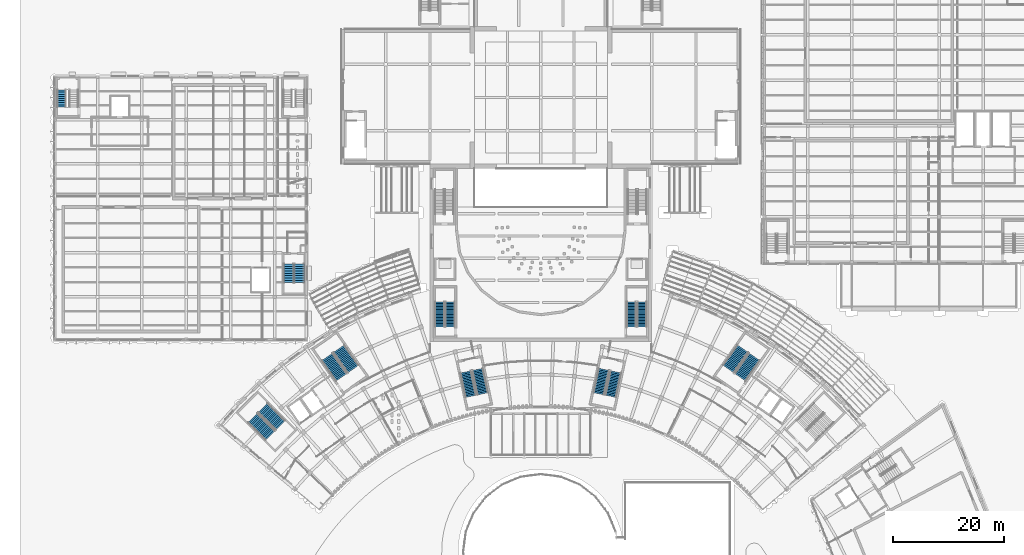
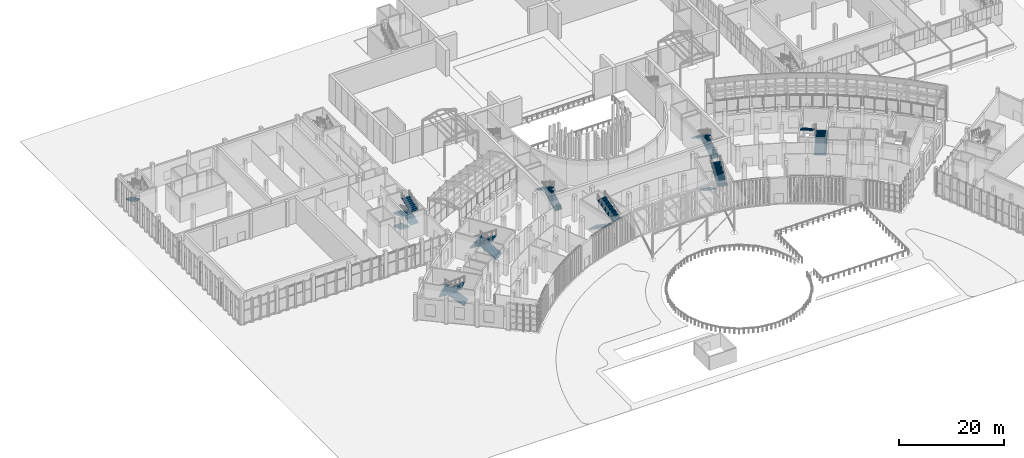
# One storey, part 105 of 155: 19 stair flights, 9 elements without a shape of their own.
"""IFC4 building model written with IfcOpenShell, lengths in metres."""

from ifc_helpers import new_model, si_unit, direction, frame, origin, place, context, subcontext, project, spatial, polyline, outline, extrude, material, type_object, element, aggregate, save


model = new_model("IFC4")

# Units and contexts
model_context = context("Model", 3, precision=1e-05, world=origin(), true_north=direction((0.0, 1.0)))
body_context = subcontext(model_context, "Body", "Model", "MODEL_VIEW")
ifc_project = project(units=[si_unit("LENGTHUNIT", "METRE"), si_unit("AREAUNIT", "SQUARE_METRE"), si_unit("VOLUMEUNIT", "CUBIC_METRE"), si_unit("PLANEANGLEUNIT", "RADIAN"), si_unit("MASSUNIT", "GRAM", prefix="KILO")], contexts=[model_context])

# Site, building, storey
site_placement = place(None, origin())
site = spatial("IfcSite", under=ifc_project, at=site_placement, CompositionType="ELEMENT")
building_placement = place(site_placement, origin())
building = spatial("IfcBuilding", under=site, at=building_placement, Name="Lunette Opera House", CompositionType="ELEMENT")
storey_placement = place(building_placement, origin())
storey = spatial("IfcBuildingStorey", under=building, at=storey_placement, Name="L00", CompositionType="ELEMENT", Elevation=0.0)

# Stair, stair flight
ifc_material_1 = material(Name="Concrete C35/45", Category="concrete")
stair_type_1 = type_object("IfcStairType", Name="DOGLEG STAIR 1600", PredefinedType="HALF_TURN_STAIR", material=ifc_material_1)
stair_1_placement = place(storey_placement, origin())
stair_1 = element("IfcStair", 1, at=stair_1_placement, inside=storey, type_object=stair_type_1, Name="L00 stair ST15", PredefinedType="HALF_TURN_STAIR")
ifc_material_2 = material(Name="Concrete C35/45", Category="concrete")
stair_flight_type_1 = type_object("IfcStairFlightType", Name="STRAIGHT STAIR FLIGHT 1600", PredefinedType="STRAIGHT", material=ifc_material_2)
stair_flight_1_placement = place(storey_placement, frame((9.5, 109.340087890625, 1.5), z_axis=(0.0, 0.0, 1.0), x_axis=(0.0, -1.0, 0.0)))
stair_flight_1 = element("IfcStairFlight", 2, at=stair_flight_1_placement, type_object=stair_flight_type_1, Name="ST15 flight 2", NumberOfRisers=9, NumberOfTreads=8, PredefinedType="STRAIGHT", RiserHeight=0.166666667, TreadLength=0.38, context=body_context, shape_type="SweptSolid", body=[
    extrude(outline(polyline([(0.0, 0.0), (0.0, 0.166748046875), (0.3798828125, 0.166748046875), (0.3798828125, 0.333251953125), (0.760009765625, 0.333251953125), (0.760009765625, 0.5), (1.139892578125, 0.5), (1.139892578125, 0.666748046875), (1.52001953125, 0.666748046875), (1.52001953125, 0.833251953125), (1.89990234375, 0.833251953125), (1.89990234375, 1.0), (2.280029296875, 1.0), (2.280029296875, 1.166748046875), (2.659912109375, 1.166748046875), (2.659912109375, 1.333251953125), (3.0400390625, 1.333251953125), (3.0400390625, 1.5), (3.0400390625, 1.169677734375), (0.373291015625, 0.0), (0.0, 0.0)])), frame((0.0, 0.800048828125, 0.0), z_axis=(0.0, -1.0, 0.0), x_axis=(1.0, 0.0, 0.0)), (0.0, 0.0, 1.0), 1.60009765625),
])
aggregate(stair_1, [stair_flight_1])

# Stair, stair flights
ifc_material_3 = material(Name="Concrete C35/45", Category="concrete")
stair_type_2 = type_object("IfcStairType", Name="DOGLEG STAIR 1720", PredefinedType="HALF_TURN_STAIR", material=ifc_material_3)
stair_2_placement = place(storey_placement, origin())
stair_2 = element("IfcStair", 3, at=stair_2_placement, inside=storey, type_object=stair_type_2, Name="L00 stair ST7", PredefinedType="HALF_TURN_STAIR")
ifc_material_4 = material(Name="Concrete C35/45", Category="concrete")
stair_flight_type_2 = type_object("IfcStairFlightType", Name="STRAIGHT STAIR FLIGHT 1720", PredefinedType="STRAIGHT", material=ifc_material_4)
stair_flight_2_placement = place(storey_placement, frame((79.639892578125, 66.6201171875, 0.0), z_axis=(0.0, 0.0, 1.0), x_axis=(0.0, 1.0, 0.0)))
stair_flight_2 = element("IfcStairFlight", 4, at=stair_flight_2_placement, type_object=stair_flight_type_2, Name="ST7 flight 1", NumberOfRisers=17, NumberOfTreads=16, PredefinedType="STRAIGHT", RiserHeight=0.176470588, TreadLength=0.28, context=body_context, shape_type="SweptSolid", body=[
    extrude(outline(polyline([(0.0, 0.0), (0.0, 0.176513671875), (0.280029296875, 0.176513671875), (0.280029296875, 0.35302734375), (0.56005859375, 0.35302734375), (0.56005859375, 0.529296875), (0.840087890625, 0.529296875), (0.840087890625, 0.705810546875), (1.1201171875, 0.705810546875), (1.1201171875, 0.88232421875), (1.39990234375, 0.88232421875), (1.39990234375, 1.058837890625), (1.679931640625, 1.058837890625), (1.679931640625, 1.2353515625), (1.9599609375, 1.2353515625), (1.9599609375, 1.411865234375), (2.239990234375, 1.411865234375), (2.239990234375, 1.588134765625), (2.52001953125, 1.588134765625), (2.52001953125, 1.7646484375), (2.800048828125, 1.7646484375), (2.800048828125, 1.941162109375), (3.080078125, 1.941162109375), (3.080078125, 2.11767578125), (3.360107421875, 2.11767578125), (3.360107421875, 2.294189453125), (3.639892578125, 2.294189453125), (3.639892578125, 2.470703125), (3.919921875, 2.470703125), (3.919921875, 2.64697265625), (4.199951171875, 2.64697265625), (4.199951171875, 2.823486328125), (4.47998046875, 2.823486328125), (4.47998046875, 3.0), (4.47998046875, 2.646240234375), (0.28125, 0.0), (0.0, 0.0)])), frame((0.0, 0.85986328125, 0.0), z_axis=(0.0, -1.0, 0.0), x_axis=(1.0, 0.0, 0.0)), (0.0, 0.0, 1.0), 1.719970703125),
])
stair_flight_3_placement = place(storey_placement, frame((77.760009765625, 71.10009765625, 3.0), z_axis=(0.0, 0.0, 1.0), x_axis=(0.0, -1.0, 0.0)))
stair_flight_3 = element("IfcStairFlight", 5, at=stair_flight_3_placement, type_object=stair_flight_type_2, Name="ST7 flight 2", NumberOfRisers=17, NumberOfTreads=16, PredefinedType="STRAIGHT", RiserHeight=0.176470588, TreadLength=0.28, context=body_context, shape_type="SweptSolid", body=[
    extrude(outline(polyline([(0.0, 0.0), (0.0, 0.176513671875), (0.280029296875, 0.176513671875), (0.280029296875, 0.35302734375), (0.56005859375, 0.35302734375), (0.56005859375, 0.529296875), (0.840087890625, 0.529296875), (0.840087890625, 0.705810546875), (1.1201171875, 0.705810546875), (1.1201171875, 0.88232421875), (1.39990234375, 0.88232421875), (1.39990234375, 1.058837890625), (1.679931640625, 1.058837890625), (1.679931640625, 1.2353515625), (1.9599609375, 1.2353515625), (1.9599609375, 1.411865234375), (2.239990234375, 1.411865234375), (2.239990234375, 1.588134765625), (2.52001953125, 1.588134765625), (2.52001953125, 1.7646484375), (2.800048828125, 1.7646484375), (2.800048828125, 1.941162109375), (3.080078125, 1.941162109375), (3.080078125, 2.11767578125), (3.360107421875, 2.11767578125), (3.360107421875, 2.294189453125), (3.639892578125, 2.294189453125), (3.639892578125, 2.470703125), (3.919921875, 2.470703125), (3.919921875, 2.64697265625), (4.199951171875, 2.64697265625), (4.199951171875, 2.823486328125), (4.47998046875, 2.823486328125), (4.47998046875, 3.0), (4.47998046875, 2.646240234375), (0.28125, 0.0), (0.0, 0.0)])), frame((0.0, 0.85986328125, 0.0), z_axis=(0.0, -1.0, 0.0), x_axis=(1.0, 0.0, 0.0)), (0.0, 0.0, 1.0), 1.719970703125),
])
aggregate(stair_2, [stair_flight_2, stair_flight_3])

stair_3_placement = place(storey_placement, origin())
stair_3 = element("IfcStair", 6, at=stair_3_placement, inside=storey, type_object=stair_type_2, Name="L00 stair ST8", PredefinedType="HALF_TURN_STAIR")
stair_flight_4_placement = place(storey_placement, frame((114.239990234375, 66.6201171875, 0.0), z_axis=(0.0, 0.0, 1.0), x_axis=(0.0, 1.0, 0.0)))
stair_flight_4 = element("IfcStairFlight", 7, at=stair_flight_4_placement, type_object=stair_flight_type_2, Name="ST8 flight 1", NumberOfRisers=17, NumberOfTreads=16, PredefinedType="STRAIGHT", RiserHeight=0.176470588, TreadLength=0.28, context=body_context, shape_type="SweptSolid", body=[
    extrude(outline(polyline([(0.0, 0.0), (0.0, 0.176513671875), (0.280029296875, 0.176513671875), (0.280029296875, 0.35302734375), (0.56005859375, 0.35302734375), (0.56005859375, 0.529296875), (0.840087890625, 0.529296875), (0.840087890625, 0.705810546875), (1.1201171875, 0.705810546875), (1.1201171875, 0.88232421875), (1.39990234375, 0.88232421875), (1.39990234375, 1.058837890625), (1.679931640625, 1.058837890625), (1.679931640625, 1.2353515625), (1.9599609375, 1.2353515625), (1.9599609375, 1.411865234375), (2.239990234375, 1.411865234375), (2.239990234375, 1.588134765625), (2.52001953125, 1.588134765625), (2.52001953125, 1.7646484375), (2.800048828125, 1.7646484375), (2.800048828125, 1.941162109375), (3.080078125, 1.941162109375), (3.080078125, 2.11767578125), (3.360107421875, 2.11767578125), (3.360107421875, 2.294189453125), (3.639892578125, 2.294189453125), (3.639892578125, 2.470703125), (3.919921875, 2.470703125), (3.919921875, 2.64697265625), (4.199951171875, 2.64697265625), (4.199951171875, 2.823486328125), (4.47998046875, 2.823486328125), (4.47998046875, 3.0), (4.47998046875, 2.646240234375), (0.28125, 0.0), (0.0, 0.0)])), frame((0.0, 0.85986328125, 0.0), z_axis=(0.0, -1.0, 0.0), x_axis=(1.0, 0.0, 0.0)), (0.0, 0.0, 1.0), 1.719970703125),
])
stair_flight_5_placement = place(storey_placement, frame((112.360107421875, 71.10009765625, 3.0), z_axis=(0.0, 0.0, 1.0), x_axis=(0.0, -1.0, 0.0)))
stair_flight_5 = element("IfcStairFlight", 8, at=stair_flight_5_placement, type_object=stair_flight_type_2, Name="ST8 flight 2", NumberOfRisers=17, NumberOfTreads=16, PredefinedType="STRAIGHT", RiserHeight=0.176470588, TreadLength=0.28, context=body_context, shape_type="SweptSolid", body=[
    extrude(outline(polyline([(0.0, 0.0), (0.0, 0.176513671875), (0.280029296875, 0.176513671875), (0.280029296875, 0.35302734375), (0.56005859375, 0.35302734375), (0.56005859375, 0.529296875), (0.840087890625, 0.529296875), (0.840087890625, 0.705810546875), (1.1201171875, 0.705810546875), (1.1201171875, 0.88232421875), (1.39990234375, 0.88232421875), (1.39990234375, 1.058837890625), (1.679931640625, 1.058837890625), (1.679931640625, 1.2353515625), (1.9599609375, 1.2353515625), (1.9599609375, 1.411865234375), (2.239990234375, 1.411865234375), (2.239990234375, 1.588134765625), (2.52001953125, 1.588134765625), (2.52001953125, 1.7646484375), (2.800048828125, 1.7646484375), (2.800048828125, 1.941162109375), (3.080078125, 1.941162109375), (3.080078125, 2.11767578125), (3.360107421875, 2.11767578125), (3.360107421875, 2.294189453125), (3.639892578125, 2.294189453125), (3.639892578125, 2.470703125), (3.919921875, 2.470703125), (3.919921875, 2.64697265625), (4.199951171875, 2.64697265625), (4.199951171875, 2.823486328125), (4.47998046875, 2.823486328125), (4.47998046875, 3.0), (4.47998046875, 2.646240234375), (0.28125, 0.0), (0.0, 0.0)])), frame((0.0, 0.85986328125, 0.0), z_axis=(0.0, -1.0, 0.0), x_axis=(1.0, 0.0, 0.0)), (0.0, 0.0, 1.0), 1.719970703125),
])
aggregate(stair_3, [stair_flight_4, stair_flight_5])

ifc_material_5 = material(Name="Concrete C35/45", Category="concrete")
stair_type_3 = type_object("IfcStairType", Name="DOGLEG STAIR 1770", PredefinedType="HALF_TURN_STAIR", material=ifc_material_5)
stair_4_placement = place(storey_placement, origin())
stair_4 = element("IfcStair", 9, at=stair_4_placement, inside=storey, type_object=stair_type_3, Name="L00 stair ST16", PredefinedType="HALF_TURN_STAIR")
ifc_material_6 = material(Name="Concrete C35/45", Category="concrete")
stair_flight_type_3 = type_object("IfcStairFlightType", Name="STRAIGHT STAIR FLIGHT 1770", PredefinedType="STRAIGHT", material=ifc_material_6)
stair_flight_6_placement = place(storey_placement, frame((50.485107421875, 77.929931640625, 0.0), z_axis=(0.0, 0.0, 1.0), x_axis=(0.0, -1.0, 0.0)))
stair_flight_6 = element("IfcStairFlight", 10, at=stair_flight_6_placement, type_object=stair_flight_type_3, Name="ST16 flight 1", NumberOfRisers=9, NumberOfTreads=8, PredefinedType="STRAIGHT", RiserHeight=0.166666667, TreadLength=0.42, context=body_context, shape_type="SweptSolid", body=[
    extrude(outline(polyline([(0.0, 0.0), (0.0, 0.166748046875), (0.419921875, 0.166748046875), (0.419921875, 0.333251953125), (0.840087890625, 0.333251953125), (0.840087890625, 0.5), (1.260009765625, 0.5), (1.260009765625, 0.666748046875), (1.679931640625, 0.666748046875), (1.679931640625, 0.833251953125), (2.10009765625, 0.833251953125), (2.10009765625, 1.0), (2.52001953125, 1.0), (2.52001953125, 1.166748046875), (2.93994140625, 1.166748046875), (2.93994140625, 1.333251953125), (3.360107421875, 1.333251953125), (3.360107421875, 1.5), (3.360107421875, 1.172119140625), (0.406494140625, 0.0), (0.0, 0.0)])), frame((0.0, 0.885009765625, 0.0), z_axis=(0.0, -1.0, 0.0), x_axis=(1.0, 0.0, 0.0)), (0.0, 0.0, 1.0), 1.77001953125),
])
stair_flight_7_placement = place(storey_placement, frame((52.4150390625, 74.570068359375, 1.5), z_axis=(0.0, 0.0, 1.0), x_axis=(0.0, 1.0, 0.0)))
stair_flight_7 = element("IfcStairFlight", 11, at=stair_flight_7_placement, type_object=stair_flight_type_3, Name="ST16 flight 2", NumberOfRisers=9, NumberOfTreads=8, PredefinedType="STRAIGHT", RiserHeight=0.166666667, TreadLength=0.42, context=body_context, shape_type="SweptSolid", body=[
    extrude(outline(polyline([(0.0, 0.0), (0.0, 0.166748046875), (0.419921875, 0.166748046875), (0.419921875, 0.333251953125), (0.840087890625, 0.333251953125), (0.840087890625, 0.5), (1.260009765625, 0.5), (1.260009765625, 0.666748046875), (1.679931640625, 0.666748046875), (1.679931640625, 0.833251953125), (2.10009765625, 0.833251953125), (2.10009765625, 1.0), (2.52001953125, 1.0), (2.52001953125, 1.166748046875), (2.93994140625, 1.166748046875), (2.93994140625, 1.333251953125), (3.360107421875, 1.333251953125), (3.360107421875, 1.5), (3.360107421875, 1.172119140625), (0.406494140625, 0.0), (0.0, 0.0)])), frame((0.0, 0.885009765625, 0.0), z_axis=(0.0, -1.0, 0.0), x_axis=(1.0, 0.0, 0.0)), (0.0, 0.0, 1.0), 1.77001953125),
])
stair_flight_8_placement = place(storey_placement, frame((50.485107421875, 77.929931640625, 3.0), z_axis=(0.0, 0.0, 1.0), x_axis=(0.0, -1.0, 0.0)))
stair_flight_8 = element("IfcStairFlight", 12, at=stair_flight_8_placement, type_object=stair_flight_type_3, Name="ST16 flight 3", NumberOfRisers=9, NumberOfTreads=8, PredefinedType="STRAIGHT", RiserHeight=0.166666667, TreadLength=0.42, context=body_context, shape_type="SweptSolid", body=[
    extrude(outline(polyline([(0.0, 0.0), (0.0, 0.166748046875), (0.419921875, 0.166748046875), (0.419921875, 0.333251953125), (0.840087890625, 0.333251953125), (0.840087890625, 0.5), (1.260009765625, 0.5), (1.260009765625, 0.666748046875), (1.679931640625, 0.666748046875), (1.679931640625, 0.833251953125), (2.10009765625, 0.833251953125), (2.10009765625, 1.0), (2.52001953125, 1.0), (2.52001953125, 1.166748046875), (2.93994140625, 1.166748046875), (2.93994140625, 1.333251953125), (3.360107421875, 1.333251953125), (3.360107421875, 1.5), (3.360107421875, 1.172119140625), (0.406494140625, 0.0), (0.0, 0.0)])), frame((0.0, 0.885009765625, 0.0), z_axis=(0.0, -1.0, 0.0), x_axis=(1.0, 0.0, 0.0)), (0.0, 0.0, 1.0), 1.77001953125),
])
stair_flight_9_placement = place(storey_placement, frame((52.4150390625, 74.570068359375, 4.5), z_axis=(0.0, 0.0, 1.0), x_axis=(0.0, 1.0, 0.0)))
stair_flight_9 = element("IfcStairFlight", 13, at=stair_flight_9_placement, type_object=stair_flight_type_3, Name="ST16 flight 4", NumberOfRisers=9, NumberOfTreads=8, PredefinedType="STRAIGHT", RiserHeight=0.166666667, TreadLength=0.42, context=body_context, shape_type="SweptSolid", body=[
    extrude(outline(polyline([(0.0, 0.0), (0.0, 0.166748046875), (0.419921875, 0.166748046875), (0.419921875, 0.333251953125), (0.840087890625, 0.333251953125), (0.840087890625, 0.5), (1.260009765625, 0.5), (1.260009765625, 0.666748046875), (1.679931640625, 0.666748046875), (1.679931640625, 0.833251953125), (2.10009765625, 0.833251953125), (2.10009765625, 1.0), (2.52001953125, 1.0), (2.52001953125, 1.166748046875), (2.93994140625, 1.166748046875), (2.93994140625, 1.333251953125), (3.360107421875, 1.333251953125), (3.360107421875, 1.5), (3.360107421875, 1.172119140625), (0.406494140625, 0.0), (0.0, 0.0)])), frame((0.0, 0.885009765625, 0.0), z_axis=(0.0, -1.0, 0.0), x_axis=(1.0, 0.0, 0.0)), (0.0, 0.0, 1.0), 1.77001953125),
])
aggregate(stair_4, [stair_flight_6, stair_flight_7, stair_flight_8, stair_flight_9])

ifc_material_7 = material(Name="Concrete C35/45", Category="concrete")
stair_type_4 = type_object("IfcStairType", Name="DOGLEG STAIR 2000", PredefinedType="HALF_TURN_STAIR", material=ifc_material_7)
stair_5_placement = place(storey_placement, origin())
stair_5 = element("IfcStair", 14, at=stair_5_placement, inside=storey, type_object=stair_type_4, Name="L00 stair GS1", PredefinedType="HALF_TURN_STAIR")
ifc_material_8 = material(Name="Concrete C35/45", Category="concrete")
stair_flight_type_4 = type_object("IfcStairFlightType", Name="STRAIGHT STAIR FLIGHT 2000", PredefinedType="STRAIGHT", material=ifc_material_8)
stair_flight_10_placement = place(storey_placement, frame((82.44970703125, 58.460693359375, 0.0), z_axis=(0.0, 0.0, 1.0), x_axis=(0.207892928766, -0.978151588543, 0.0)))
stair_flight_10 = element("IfcStairFlight", 15, at=stair_flight_10_placement, type_object=stair_flight_type_4, Name="GS1 flight 1", NumberOfRisers=17, NumberOfTreads=16, PredefinedType="STRAIGHT", RiserHeight=0.176470588, TreadLength=0.28, context=body_context, shape_type="SweptSolid", body=[
    extrude(outline(polyline([(0.0, 0.0), (0.0, 0.176513671875), (0.280029296875, 0.176513671875), (0.280029296875, 0.35302734375), (0.56005859375, 0.35302734375), (0.56005859375, 0.529296875), (0.840087890625, 0.529296875), (0.840087890625, 0.705810546875), (1.1201171875, 0.705810546875), (1.1201171875, 0.88232421875), (1.39990234375, 0.88232421875), (1.39990234375, 1.058837890625), (1.679931640625, 1.058837890625), (1.679931640625, 1.2353515625), (1.9599609375, 1.2353515625), (1.9599609375, 1.411865234375), (2.239990234375, 1.411865234375), (2.239990234375, 1.588134765625), (2.52001953125, 1.588134765625), (2.52001953125, 1.7646484375), (2.800048828125, 1.7646484375), (2.800048828125, 1.941162109375), (3.080078125, 1.941162109375), (3.080078125, 2.11767578125), (3.360107421875, 2.11767578125), (3.360107421875, 2.294189453125), (3.639892578125, 2.294189453125), (3.639892578125, 2.470703125), (3.919921875, 2.470703125), (3.919921875, 2.64697265625), (4.199951171875, 2.64697265625), (4.199951171875, 2.823486328125), (4.47998046875, 2.823486328125), (4.47998046875, 3.0), (4.47998046875, 2.646240234375), (0.28125, 0.0), (0.0, 0.0)])), frame((0.0, 1.0, 0.0), z_axis=(0.0, -1.0, 0.0), x_axis=(1.0, 0.0, 0.0)), (0.0, 0.0, 1.0), 2.0),
])
stair_flight_11_placement = place(storey_placement, frame((85.532958984375, 54.535888671875, 3.0), z_axis=(0.0, 0.0, 1.0), x_axis=(-0.207892928766, 0.978151588543, 0.0)))
stair_flight_11 = element("IfcStairFlight", 16, at=stair_flight_11_placement, type_object=stair_flight_type_4, Name="GS1 flight 2", NumberOfRisers=17, NumberOfTreads=16, PredefinedType="STRAIGHT", RiserHeight=0.176470588, TreadLength=0.28, context=body_context, shape_type="SweptSolid", body=[
    extrude(outline(polyline([(0.0, 0.0), (0.0, 0.176513671875), (0.280029296875, 0.176513671875), (0.280029296875, 0.35302734375), (0.56005859375, 0.35302734375), (0.56005859375, 0.529296875), (0.840087890625, 0.529296875), (0.840087890625, 0.705810546875), (1.1201171875, 0.705810546875), (1.1201171875, 0.88232421875), (1.39990234375, 0.88232421875), (1.39990234375, 1.058837890625), (1.679931640625, 1.058837890625), (1.679931640625, 1.2353515625), (1.9599609375, 1.2353515625), (1.9599609375, 1.411865234375), (2.239990234375, 1.411865234375), (2.239990234375, 1.588134765625), (2.52001953125, 1.588134765625), (2.52001953125, 1.7646484375), (2.800048828125, 1.7646484375), (2.800048828125, 1.941162109375), (3.080078125, 1.941162109375), (3.080078125, 2.11767578125), (3.360107421875, 2.11767578125), (3.360107421875, 2.294189453125), (3.639892578125, 2.294189453125), (3.639892578125, 2.470703125), (3.919921875, 2.470703125), (3.919921875, 2.64697265625), (4.199951171875, 2.64697265625), (4.199951171875, 2.823486328125), (4.47998046875, 2.823486328125), (4.47998046875, 3.0), (4.47998046875, 2.646240234375), (0.28125, 0.0), (0.0, 0.0)])), frame((0.0, 1.0, 0.0), z_axis=(0.0, -1.0, 0.0), x_axis=(1.0, 0.0, 0.0)), (0.0, 0.0, 1.0), 2.0),
])
aggregate(stair_5, [stair_flight_10, stair_flight_11])

stair_6_placement = place(storey_placement, origin())
stair_6 = element("IfcStair", 17, at=stair_6_placement, inside=storey, type_object=stair_type_4, Name="L00 stair GS2", PredefinedType="HALF_TURN_STAIR")
stair_flight_12_placement = place(storey_placement, frame((107.3984375, 58.91796875, 0.0), z_axis=(0.0, 0.0, 1.0), x_axis=(-0.207892928766, -0.978151588543, 0.0)))
stair_flight_12 = element("IfcStairFlight", 18, at=stair_flight_12_placement, type_object=stair_flight_type_4, Name="GS2 flight 1", NumberOfRisers=17, NumberOfTreads=16, PredefinedType="STRAIGHT", RiserHeight=0.176470588, TreadLength=0.28, context=body_context, shape_type="SweptSolid", body=[
    extrude(outline(polyline([(0.0, 0.0), (0.0, 0.176513671875), (0.280029296875, 0.176513671875), (0.280029296875, 0.35302734375), (0.56005859375, 0.35302734375), (0.56005859375, 0.529296875), (0.840087890625, 0.529296875), (0.840087890625, 0.705810546875), (1.1201171875, 0.705810546875), (1.1201171875, 0.88232421875), (1.39990234375, 0.88232421875), (1.39990234375, 1.058837890625), (1.679931640625, 1.058837890625), (1.679931640625, 1.2353515625), (1.9599609375, 1.2353515625), (1.9599609375, 1.411865234375), (2.239990234375, 1.411865234375), (2.239990234375, 1.588134765625), (2.52001953125, 1.588134765625), (2.52001953125, 1.7646484375), (2.800048828125, 1.7646484375), (2.800048828125, 1.941162109375), (3.080078125, 1.941162109375), (3.080078125, 2.11767578125), (3.360107421875, 2.11767578125), (3.360107421875, 2.294189453125), (3.639892578125, 2.294189453125), (3.639892578125, 2.470703125), (3.919921875, 2.470703125), (3.919921875, 2.64697265625), (4.199951171875, 2.64697265625), (4.199951171875, 2.823486328125), (4.47998046875, 2.823486328125), (4.47998046875, 3.0), (4.47998046875, 2.646240234375), (0.28125, 0.0), (0.0, 0.0)])), frame((0.0, 1.0, 0.0), z_axis=(0.0, -1.0, 0.0), x_axis=(1.0, 0.0, 0.0)), (0.0, 0.0, 1.0), 2.0),
])
stair_flight_13_placement = place(storey_placement, frame((108.618896484375, 54.07861328125, 3.0), z_axis=(0.0, 0.0, 1.0), x_axis=(0.207892928766, 0.978151588543, 0.0)))
stair_flight_13 = element("IfcStairFlight", 19, at=stair_flight_13_placement, type_object=stair_flight_type_4, Name="GS2 flight 2", NumberOfRisers=17, NumberOfTreads=16, PredefinedType="STRAIGHT", RiserHeight=0.176470588, TreadLength=0.28, context=body_context, shape_type="SweptSolid", body=[
    extrude(outline(polyline([(0.0, 0.0), (0.0, 0.176513671875), (0.280029296875, 0.176513671875), (0.280029296875, 0.35302734375), (0.56005859375, 0.35302734375), (0.56005859375, 0.529296875), (0.840087890625, 0.529296875), (0.840087890625, 0.705810546875), (1.1201171875, 0.705810546875), (1.1201171875, 0.88232421875), (1.39990234375, 0.88232421875), (1.39990234375, 1.058837890625), (1.679931640625, 1.058837890625), (1.679931640625, 1.2353515625), (1.9599609375, 1.2353515625), (1.9599609375, 1.411865234375), (2.239990234375, 1.411865234375), (2.239990234375, 1.588134765625), (2.52001953125, 1.588134765625), (2.52001953125, 1.7646484375), (2.800048828125, 1.7646484375), (2.800048828125, 1.941162109375), (3.080078125, 1.941162109375), (3.080078125, 2.11767578125), (3.360107421875, 2.11767578125), (3.360107421875, 2.294189453125), (3.639892578125, 2.294189453125), (3.639892578125, 2.470703125), (3.919921875, 2.470703125), (3.919921875, 2.64697265625), (4.199951171875, 2.64697265625), (4.199951171875, 2.823486328125), (4.47998046875, 2.823486328125), (4.47998046875, 3.0), (4.47998046875, 2.646240234375), (0.28125, 0.0), (0.0, 0.0)])), frame((0.0, 1.0, 0.0), z_axis=(0.0, -1.0, 0.0), x_axis=(1.0, 0.0, 0.0)), (0.0, 0.0, 1.0), 2.0),
])
aggregate(stair_6, [stair_flight_12, stair_flight_13])

ifc_material_9 = material(Name="Concrete C35/45", Category="concrete")
stair_type_5 = type_object("IfcStairType", Name="DOGLEG STAIR 2400", PredefinedType="HALF_TURN_STAIR", material=ifc_material_9)
stair_7_placement = place(storey_placement, origin())
stair_7 = element("IfcStair", 20, at=stair_7_placement, inside=storey, type_object=stair_type_5, Name="L00 stair ST1", PredefinedType="HALF_TURN_STAIR")
ifc_material_10 = material(Name="Concrete C35/45", Category="concrete")
stair_flight_type_5 = type_object("IfcStairFlightType", Name="STRAIGHT STAIR FLIGHT 2400", PredefinedType="STRAIGHT", material=ifc_material_10)
stair_flight_14_placement = place(storey_placement, frame((49.01318359375, 48.825439453125, 0.0), z_axis=(0.0, 0.0, 1.0), x_axis=(-0.707106781187, 0.707106781187, 0.0)))
stair_flight_14 = element("IfcStairFlight", 21, at=stair_flight_14_placement, type_object=stair_flight_type_5, Name="ST1 flight 1", NumberOfRisers=17, NumberOfTreads=16, PredefinedType="STRAIGHT", RiserHeight=0.176470588, TreadLength=0.28, context=body_context, shape_type="SweptSolid", body=[
    extrude(outline(polyline([(0.0, 0.0), (0.0, 0.176513671875), (0.280029296875, 0.176513671875), (0.280029296875, 0.35302734375), (0.56005859375, 0.35302734375), (0.56005859375, 0.529296875), (0.840087890625, 0.529296875), (0.840087890625, 0.705810546875), (1.1201171875, 0.705810546875), (1.1201171875, 0.88232421875), (1.39990234375, 0.88232421875), (1.39990234375, 1.058837890625), (1.679931640625, 1.058837890625), (1.679931640625, 1.2353515625), (1.9599609375, 1.2353515625), (1.9599609375, 1.411865234375), (2.239990234375, 1.411865234375), (2.239990234375, 1.588134765625), (2.52001953125, 1.588134765625), (2.52001953125, 1.7646484375), (2.800048828125, 1.7646484375), (2.800048828125, 1.941162109375), (3.080078125, 1.941162109375), (3.080078125, 2.11767578125), (3.360107421875, 2.11767578125), (3.360107421875, 2.294189453125), (3.639892578125, 2.294189453125), (3.639892578125, 2.470703125), (3.919921875, 2.470703125), (3.919921875, 2.64697265625), (4.199951171875, 2.64697265625), (4.199951171875, 2.823486328125), (4.47998046875, 2.823486328125), (4.47998046875, 3.0), (4.47998046875, 2.646240234375), (0.28125, 0.0), (0.0, 0.0)])), frame((0.0, 1.199951171875, 0.0), z_axis=(0.0, -1.0, 0.0), x_axis=(1.0, 0.0, 0.0)), (0.0, 0.0, 1.0), 2.39990234375),
])
stair_flight_15_placement = place(storey_placement, frame((44.006591796875, 50.15478515625, 3.0), z_axis=(0.0, 0.0, 1.0), x_axis=(0.707106781187, -0.707106781187, 0.0)))
stair_flight_15 = element("IfcStairFlight", 22, at=stair_flight_15_placement, type_object=stair_flight_type_5, Name="ST1 flight 2", NumberOfRisers=17, NumberOfTreads=16, PredefinedType="STRAIGHT", RiserHeight=0.176470588, TreadLength=0.28, context=body_context, shape_type="SweptSolid", body=[
    extrude(outline(polyline([(0.0, 0.0), (0.0, 0.176513671875), (0.280029296875, 0.176513671875), (0.280029296875, 0.35302734375), (0.56005859375, 0.35302734375), (0.56005859375, 0.529296875), (0.840087890625, 0.529296875), (0.840087890625, 0.705810546875), (1.1201171875, 0.705810546875), (1.1201171875, 0.88232421875), (1.39990234375, 0.88232421875), (1.39990234375, 1.058837890625), (1.679931640625, 1.058837890625), (1.679931640625, 1.2353515625), (1.9599609375, 1.2353515625), (1.9599609375, 1.411865234375), (2.239990234375, 1.411865234375), (2.239990234375, 1.588134765625), (2.52001953125, 1.588134765625), (2.52001953125, 1.7646484375), (2.800048828125, 1.7646484375), (2.800048828125, 1.941162109375), (3.080078125, 1.941162109375), (3.080078125, 2.11767578125), (3.360107421875, 2.11767578125), (3.360107421875, 2.294189453125), (3.639892578125, 2.294189453125), (3.639892578125, 2.470703125), (3.919921875, 2.470703125), (3.919921875, 2.64697265625), (4.199951171875, 2.64697265625), (4.199951171875, 2.823486328125), (4.47998046875, 2.823486328125), (4.47998046875, 3.0), (4.47998046875, 2.646240234375), (0.28125, 0.0), (0.0, 0.0)])), frame((0.0, 1.199951171875, 0.0), z_axis=(0.0, -1.0, 0.0), x_axis=(1.0, 0.0, 0.0)), (0.0, 0.0, 1.0), 2.39990234375),
])
aggregate(stair_7, [stair_flight_14, stair_flight_15])

stair_8_placement = place(storey_placement, origin())
stair_8 = element("IfcStair", 23, at=stair_8_placement, inside=storey, type_object=stair_type_5, Name="L00 stair ST2", PredefinedType="HALF_TURN_STAIR")
stair_flight_16_placement = place(storey_placement, frame((62.13720703125, 58.996337890625, 0.0), z_axis=(0.0, 0.0, 1.0), x_axis=(-0.573510282723, 0.819198361577, 0.0)))
stair_flight_16 = element("IfcStairFlight", 24, at=stair_flight_16_placement, type_object=stair_flight_type_5, Name="ST2 flight 1", NumberOfRisers=17, NumberOfTreads=16, PredefinedType="STRAIGHT", RiserHeight=0.176470588, TreadLength=0.28, context=body_context, shape_type="SweptSolid", body=[
    extrude(outline(polyline([(0.0, 0.0), (0.0, 0.176513671875), (0.280029296875, 0.176513671875), (0.280029296875, 0.35302734375), (0.56005859375, 0.35302734375), (0.56005859375, 0.529296875), (0.840087890625, 0.529296875), (0.840087890625, 0.705810546875), (1.1201171875, 0.705810546875), (1.1201171875, 0.88232421875), (1.39990234375, 0.88232421875), (1.39990234375, 1.058837890625), (1.679931640625, 1.058837890625), (1.679931640625, 1.2353515625), (1.9599609375, 1.2353515625), (1.9599609375, 1.411865234375), (2.239990234375, 1.411865234375), (2.239990234375, 1.588134765625), (2.52001953125, 1.588134765625), (2.52001953125, 1.7646484375), (2.800048828125, 1.7646484375), (2.800048828125, 1.941162109375), (3.080078125, 1.941162109375), (3.080078125, 2.11767578125), (3.360107421875, 2.11767578125), (3.360107421875, 2.294189453125), (3.639892578125, 2.294189453125), (3.639892578125, 2.470703125), (3.919921875, 2.470703125), (3.919921875, 2.64697265625), (4.199951171875, 2.64697265625), (4.199951171875, 2.823486328125), (4.47998046875, 2.823486328125), (4.47998046875, 3.0), (4.47998046875, 2.646240234375), (0.28125, 0.0), (0.0, 0.0)])), frame((0.0, 1.199951171875, 0.0), z_axis=(0.0, -1.0, 0.0), x_axis=(1.0, 0.0, 0.0)), (0.0, 0.0, 1.0), 2.39990234375),
])
stair_flight_17_placement = place(storey_placement, frame((57.437255859375, 61.175048828125, 3.0), z_axis=(0.0, 0.0, 1.0), x_axis=(0.573510282723, -0.819198361577, 0.0)))
stair_flight_17 = element("IfcStairFlight", 25, at=stair_flight_17_placement, type_object=stair_flight_type_5, Name="ST2 flight 2", NumberOfRisers=17, NumberOfTreads=16, PredefinedType="STRAIGHT", RiserHeight=0.176470588, TreadLength=0.28, context=body_context, shape_type="SweptSolid", body=[
    extrude(outline(polyline([(0.0, 0.0), (0.0, 0.176513671875), (0.280029296875, 0.176513671875), (0.280029296875, 0.35302734375), (0.56005859375, 0.35302734375), (0.56005859375, 0.529296875), (0.840087890625, 0.529296875), (0.840087890625, 0.705810546875), (1.1201171875, 0.705810546875), (1.1201171875, 0.88232421875), (1.39990234375, 0.88232421875), (1.39990234375, 1.058837890625), (1.679931640625, 1.058837890625), (1.679931640625, 1.2353515625), (1.9599609375, 1.2353515625), (1.9599609375, 1.411865234375), (2.239990234375, 1.411865234375), (2.239990234375, 1.588134765625), (2.52001953125, 1.588134765625), (2.52001953125, 1.7646484375), (2.800048828125, 1.7646484375), (2.800048828125, 1.941162109375), (3.080078125, 1.941162109375), (3.080078125, 2.11767578125), (3.360107421875, 2.11767578125), (3.360107421875, 2.294189453125), (3.639892578125, 2.294189453125), (3.639892578125, 2.470703125), (3.919921875, 2.470703125), (3.919921875, 2.64697265625), (4.199951171875, 2.64697265625), (4.199951171875, 2.823486328125), (4.47998046875, 2.823486328125), (4.47998046875, 3.0), (4.47998046875, 2.646240234375), (0.28125, 0.0), (0.0, 0.0)])), frame((0.0, 1.199951171875, 0.0), z_axis=(0.0, -1.0, 0.0), x_axis=(1.0, 0.0, 0.0)), (0.0, 0.0, 1.0), 2.39990234375),
])
aggregate(stair_8, [stair_flight_16, stair_flight_17])

stair_9_placement = place(storey_placement, origin())
stair_9 = element("IfcStair", 26, at=stair_9_placement, inside=storey, type_object=stair_type_5, Name="L00 stair ST3", PredefinedType="HALF_TURN_STAIR")
stair_flight_18_placement = place(storey_placement, frame((131.9931640625, 57.5048828125, 0.0), z_axis=(0.0, 0.0, 1.0), x_axis=(0.573569716789, 0.819156749336, 0.0)))
stair_flight_18 = element("IfcStairFlight", 27, at=stair_flight_18_placement, type_object=stair_flight_type_5, Name="ST3 flight 1", NumberOfRisers=17, NumberOfTreads=16, PredefinedType="STRAIGHT", RiserHeight=0.176470588, TreadLength=0.28, context=body_context, shape_type="SweptSolid", body=[
    extrude(outline(polyline([(0.0, 0.0), (0.0, 0.176513671875), (0.280029296875, 0.176513671875), (0.280029296875, 0.35302734375), (0.56005859375, 0.35302734375), (0.56005859375, 0.529296875), (0.840087890625, 0.529296875), (0.840087890625, 0.705810546875), (1.1201171875, 0.705810546875), (1.1201171875, 0.88232421875), (1.39990234375, 0.88232421875), (1.39990234375, 1.058837890625), (1.679931640625, 1.058837890625), (1.679931640625, 1.2353515625), (1.9599609375, 1.2353515625), (1.9599609375, 1.411865234375), (2.239990234375, 1.411865234375), (2.239990234375, 1.588134765625), (2.52001953125, 1.588134765625), (2.52001953125, 1.7646484375), (2.800048828125, 1.7646484375), (2.800048828125, 1.941162109375), (3.080078125, 1.941162109375), (3.080078125, 2.11767578125), (3.360107421875, 2.11767578125), (3.360107421875, 2.294189453125), (3.639892578125, 2.294189453125), (3.639892578125, 2.470703125), (3.919921875, 2.470703125), (3.919921875, 2.64697265625), (4.199951171875, 2.64697265625), (4.199951171875, 2.823486328125), (4.47998046875, 2.823486328125), (4.47998046875, 3.0), (4.47998046875, 2.646240234375), (0.28125, 0.0), (0.0, 0.0)])), frame((0.0, 1.199951171875, 0.0), z_axis=(0.0, -1.0, 0.0), x_axis=(1.0, 0.0, 0.0)), (0.0, 0.0, 1.0), 2.39990234375),
])
stair_flight_19_placement = place(storey_placement, frame((132.432373046875, 62.66650390625, 3.0), z_axis=(0.0, 0.0, 1.0), x_axis=(-0.573569716789, -0.819156749336, 0.0)))
stair_flight_19 = element("IfcStairFlight", 28, at=stair_flight_19_placement, type_object=stair_flight_type_5, Name="ST3 flight 2", NumberOfRisers=17, NumberOfTreads=16, PredefinedType="STRAIGHT", RiserHeight=0.176470588, TreadLength=0.28, context=body_context, shape_type="SweptSolid", body=[
    extrude(outline(polyline([(0.0, 0.0), (0.0, 0.176513671875), (0.280029296875, 0.176513671875), (0.280029296875, 0.35302734375), (0.56005859375, 0.35302734375), (0.56005859375, 0.529296875), (0.840087890625, 0.529296875), (0.840087890625, 0.705810546875), (1.1201171875, 0.705810546875), (1.1201171875, 0.88232421875), (1.39990234375, 0.88232421875), (1.39990234375, 1.058837890625), (1.679931640625, 1.058837890625), (1.679931640625, 1.2353515625), (1.9599609375, 1.2353515625), (1.9599609375, 1.411865234375), (2.239990234375, 1.411865234375), (2.239990234375, 1.588134765625), (2.52001953125, 1.588134765625), (2.52001953125, 1.7646484375), (2.800048828125, 1.7646484375), (2.800048828125, 1.941162109375), (3.080078125, 1.941162109375), (3.080078125, 2.11767578125), (3.360107421875, 2.11767578125), (3.360107421875, 2.294189453125), (3.639892578125, 2.294189453125), (3.639892578125, 2.470703125), (3.919921875, 2.470703125), (3.919921875, 2.64697265625), (4.199951171875, 2.64697265625), (4.199951171875, 2.823486328125), (4.47998046875, 2.823486328125), (4.47998046875, 3.0), (4.47998046875, 2.646240234375), (0.28125, 0.0), (0.0, 0.0)])), frame((0.0, 1.199951171875, 0.0), z_axis=(0.0, -1.0, 0.0), x_axis=(1.0, 0.0, 0.0)), (0.0, 0.0, 1.0), 2.39990234375),
])
aggregate(stair_9, [stair_flight_18, stair_flight_19])

save(model, "model.ifc")
